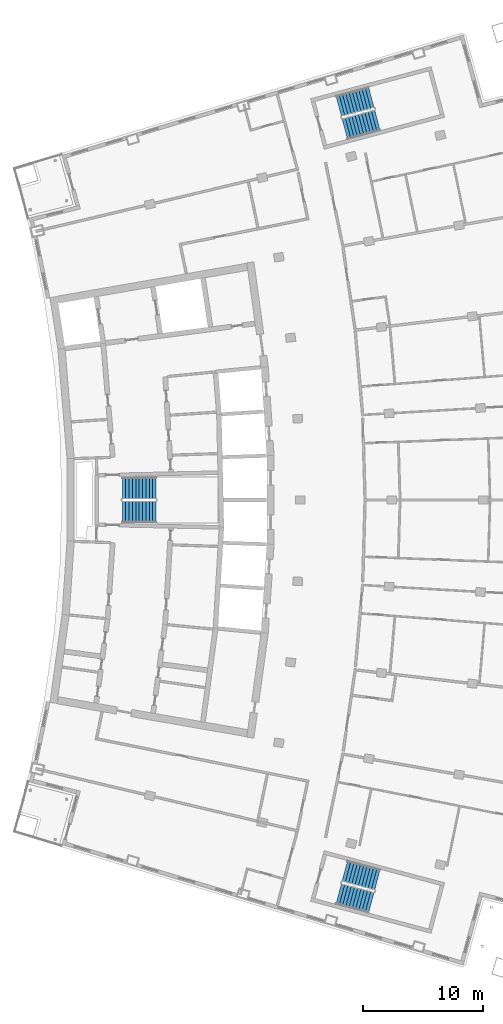
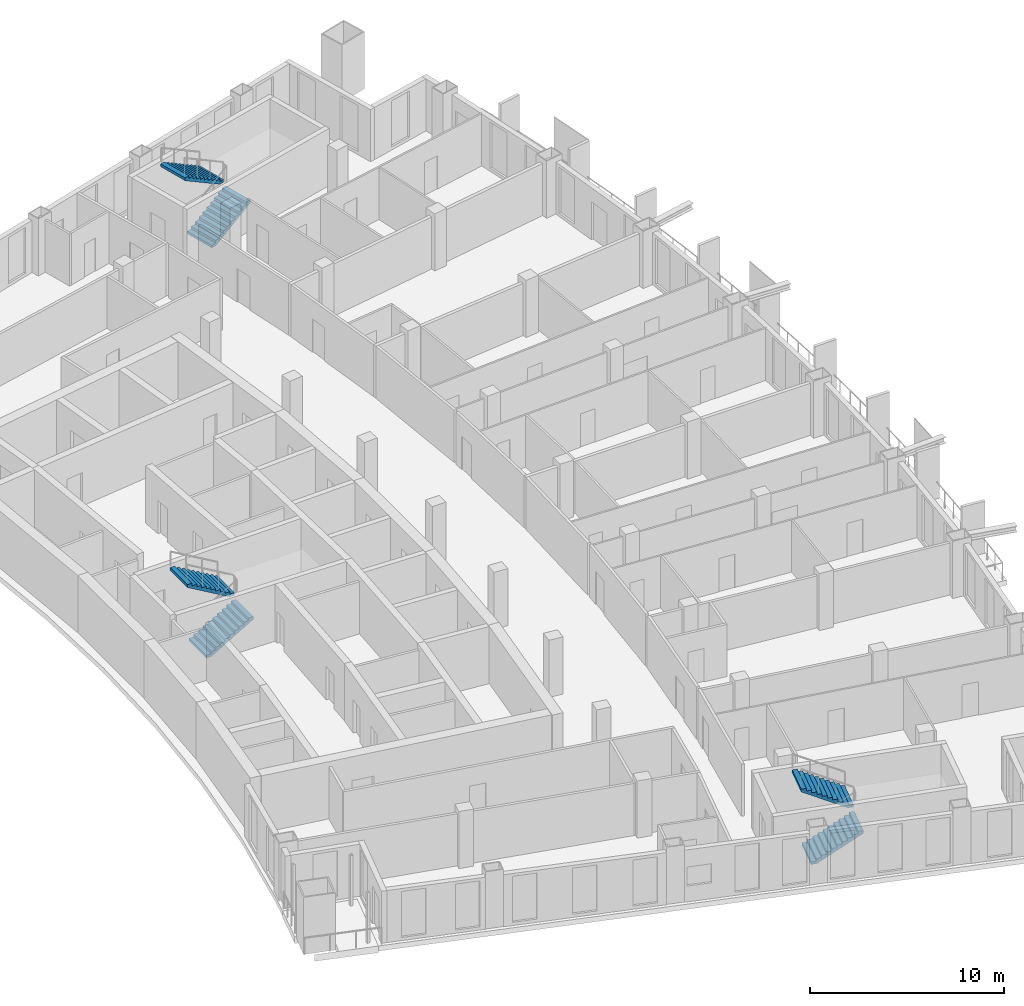
# One storey, part 16 of 19: 6 stair flights, 3 elements without a shape of their own.
"""IFC4 building model written with IfcOpenShell, lengths in metres."""

import ifcopenshell
import ifcopenshell.guid

model = None  # the IFC model being written
_history = None  # IfcOwnerHistory: only IFC2X3 demands one
_inside = {}  # id of a spatial element -> (the spatial element, [elements in it])
_under = {}  # id of a project, library or spatial element -> (it, [spatial elements below it])
_declared = {}  # id of a project -> (the project, [libraries it declares])
_typed = {}  # id of a type object -> (the type object, [elements of that type])
_made_of = {}  # id of a material, layer set ... -> (it, [elements and type objects made of it])


def new_model(schema):
    """Start an empty IFC model of exactly this schema.

    Asked for "IFC4X3", IfcOpenShell would pick the latest addendum, in which some entities
    have other attributes; the version numbers below select the first issue.
    IFC2X3 requires an IfcOwnerHistory on every rooted entity: one is made here for all.
    """
    global model, _history
    if schema == "IFC4X3":
        model = ifcopenshell.file(schema_version=(4, 3, 0, 0))
    else:
        model = ifcopenshell.file(schema=schema)
    _inside.clear()
    _under.clear()
    _declared.clear()
    _typed.clear()
    _made_of.clear()
    _history = None
    if model.schema == "IFC2X3":
        org = make("IfcOrganization", Name="unknown")
        user = make(
            "IfcPersonAndOrganization",
            ThePerson=make("IfcPerson", FamilyName="unknown"),
            TheOrganization=org,
        )
        app = make(
            "IfcApplication",
            ApplicationDeveloper=org,
            Version="unknown",
            ApplicationFullName="unknown",
            ApplicationIdentifier="unknown",
        )
        _history = make(
            "IfcOwnerHistory",
            OwningUser=user,
            OwningApplication=app,
            ChangeAction="ADDED",
            CreationDate=0,
        )
    return model


def make(cls, **values):
    """One entity of the class cls with the attributes given. An attribute that is None is left unset."""
    return model.create_entity(
        cls, **{name: value for name, value in values.items() if value is not None}
    )


def rooted(cls, **values):
    """An entity with a GlobalId (a new one), such as an element, a storey or a relation."""
    return make(cls, GlobalId=ifcopenshell.guid.new(), OwnerHistory=_history, **values)


def si_unit(unit_type, name, prefix=None):
    """IfcSIUnit, for example si_unit("LENGTHUNIT", "METRE", prefix="MILLI")."""
    return make("IfcSIUnit", UnitType=unit_type, Prefix=prefix, Name=name)


def assignment(units):
    """IfcUnitAssignment: the units of a project."""
    return None if units is None else make("IfcUnitAssignment", Units=units)


def point(xyz):
    """IfcCartesianPoint."""
    return None if xyz is None else make("IfcCartesianPoint", Coordinates=xyz)


def direction(xyz):
    """IfcDirection."""
    return None if xyz is None else make("IfcDirection", DirectionRatios=xyz)


def frame(location, z_axis=None, x_axis=None):
    """IfcAxis2Placement3D, a coordinate frame: its origin and axes. An axis left out is left unset."""
    return make(
        "IfcAxis2Placement3D",
        Location=point(location),
        Axis=direction(z_axis),
        RefDirection=direction(x_axis),
    )


def origin():
    """The frame at (0, 0, 0) with its axes left unset."""
    return frame((0.0, 0.0, 0.0))


def place(relative_to, where):
    """IfcLocalPlacement: puts the frame where relative to a parent placement (None: the world)."""
    return make(
        "IfcLocalPlacement", PlacementRelTo=relative_to, RelativePlacement=where
    )


def context(
    kind, dimensions, precision=None, world=None, true_north=None, identifier=None
):
    """IfcGeometricRepresentationContext, for example the 3D "Model" context."""
    return make(
        "IfcGeometricRepresentationContext",
        ContextIdentifier=identifier,
        ContextType=kind,
        CoordinateSpaceDimension=dimensions,
        Precision=precision,
        WorldCoordinateSystem=world,
        TrueNorth=true_north,
    )


def subcontext(parent, identifier, kind, view, scale=None):
    """IfcGeometricRepresentationSubContext, for example "Body" below "Model"."""
    return make(
        "IfcGeometricRepresentationSubContext",
        ContextIdentifier=identifier,
        ContextType=kind,
        ParentContext=parent,
        TargetScale=scale,
        TargetView=view,
    )


def project(units=None, contexts=None):
    """IfcProject with its units and contexts."""
    return rooted(
        "IfcProject",
        Name="project",
        RepresentationContexts=contexts,
        UnitsInContext=assignment(units),
    )


def spatial(cls, under=None, at=None, **own):
    """A site, building, storey or space (cls), placed at a placement, below another one or the project."""
    s = rooted(cls, ObjectPlacement=at, **own)
    if under is not None:
        _under.setdefault(under.id(), (under, []))[1].append(s)
    return s


def polyline(points):
    """IfcPolyline through the points."""
    return make("IfcPolyline", Points=[point(p) for p in points])


def outline(outer, holes=None, kind="AREA"):
    """IfcArbitraryClosedProfileDef: a profile drawn as a closed curve; with holes, ...WithVoids."""
    if holes is None:
        return make("IfcArbitraryClosedProfileDef", ProfileType=kind, OuterCurve=outer)
    return make(
        "IfcArbitraryProfileDefWithVoids",
        ProfileType=kind,
        OuterCurve=outer,
        InnerCurves=holes,
    )


def extrude(swept, where, along, depth):
    """IfcExtrudedAreaSolid: the profile swept, set in the frame where, extruded along a direction by depth."""
    return make(
        "IfcExtrudedAreaSolid",
        SweptArea=swept,
        Position=where,
        ExtrudedDirection=direction(along),
        Depth=depth,
    )


def shape(context_of_items, identifier, shape_type, items):
    """IfcShapeRepresentation: the items that make up one representation, for example the "Body"."""
    return make(
        "IfcShapeRepresentation",
        ContextOfItems=context_of_items,
        RepresentationIdentifier=identifier,
        RepresentationType=shape_type,
        Items=items,
    )


def material(Name=None, Category=None):
    """IfcMaterial."""
    return make("IfcMaterial", Name=Name, Category=Category)


def layer(
    of_material, thickness, ventilated=None, Name=None, Category=None, Priority=None
):
    """IfcMaterialLayer: one layer of a wall or slab, of a material (None: an air gap)."""
    return make(
        "IfcMaterialLayer",
        Material=of_material,
        LayerThickness=thickness,
        IsVentilated=ventilated,
        Name=Name,
        Category=Category,
        Priority=Priority,
    )


def layer_set(layers, Name=None):
    """IfcMaterialLayerSet."""
    return make("IfcMaterialLayerSet", MaterialLayers=layers, LayerSetName=Name)


def made_of(thing, what):
    """Note that an element or type object is made of a material, layer set ...; save() writes the relation."""
    if what is not None:
        _made_of.setdefault(what.id(), (what, []))[1].append(thing)
    return thing


def type_object(cls, material=None, **own):
    """A type object (cls), such as IfcWallType, which elements share."""
    return made_of(rooted(cls, **own), material)


def element(
    cls,
    number,
    at=None,
    inside=None,
    cuts=None,
    type_object=None,
    material=None,
    context=None,
    identifier="Body",
    shape_type=None,
    held_by="IfcProductDefinitionShape",
    body=None,
    shapes=None,
    **own,
):
    """One element of the class cls, such as IfcWall. Its Tag is "e" and its number.

    at: its placement. inside: the storey or other place that contains it. cuts: it is an
    opening in that element (IfcRelVoidsElement). A single representation is given by context,
    identifier, shape_type and body (its items); several are given by shapes. held_by: the class
    of the entity that holds the representations. save() writes the other relations.
    """
    e = rooted(cls, Tag="e%d" % number, ObjectPlacement=at, **own)
    if body is not None:
        shapes = [shape(context, identifier, shape_type, body)]
    if shapes is not None:
        e.Representation = make(held_by, Representations=shapes)
    if inside is not None:
        _inside.setdefault(inside.id(), (inside, []))[1].append(e)
    if cuts is not None:
        rooted(
            "IfcRelVoidsElement", RelatingBuildingElement=cuts, RelatedOpeningElement=e
        )
    if type_object is not None:
        _typed.setdefault(type_object.id(), (type_object, []))[1].append(e)
    return made_of(e, material)


def aggregate(whole, parts):
    """IfcRelAggregates: a whole, such as a stair, and the parts it consists of."""
    return rooted("IfcRelAggregates", RelatingObject=whole, RelatedObjects=parts)


def save(model, path):
    """Write the relations noted so far, then the file.

    IfcRelAggregates (storeys below a building ...), IfcRelContainedInSpatialStructure (elements
    in a storey), IfcRelDefinesByType, IfcRelAssociatesMaterial and IfcRelDeclares: one each for
    every whole, place, type object, material and project.
    """
    for whole, parts in _under.values():
        aggregate(whole, parts)
    for where, things in _inside.values():
        rooted(
            "IfcRelContainedInSpatialStructure",
            RelatedElements=things,
            RelatingStructure=where,
        )
    for kind, things in _typed.values():
        rooted("IfcRelDefinesByType", RelatedObjects=things, RelatingType=kind)
    for what, things in _made_of.values():
        rooted("IfcRelAssociatesMaterial", RelatedObjects=things, RelatingMaterial=what)
    for by, libraries in _declared.values():
        rooted("IfcRelDeclares", RelatingContext=by, RelatedDefinitions=libraries)
    model.write(path)


model = new_model("IFC4")

# Units and contexts
model_context = context("Model", 3, precision=1e-05, world=origin(), true_north=direction((0.0, 1.0)))
body_context = subcontext(model_context, "Body", "Model", "MODEL_VIEW")
ifc_project = project(units=[si_unit("LENGTHUNIT", "METRE"), si_unit("AREAUNIT", "SQUARE_METRE"), si_unit("VOLUMEUNIT", "CUBIC_METRE"), si_unit("PLANEANGLEUNIT", "RADIAN"), si_unit("MASSUNIT", "GRAM", prefix="KILO")], contexts=[model_context])

# Site, building, storey
site_placement = place(None, origin())
site = spatial("IfcSite", under=ifc_project, at=site_placement, CompositionType="ELEMENT")
building_placement = place(site_placement, origin())
building = spatial("IfcBuilding", under=site, at=building_placement, Name="Alderwake Tower", CompositionType="ELEMENT")
storey_placement = place(building_placement, frame((0.0, 0.0, 192.800048828125)))
storey = spatial("IfcBuildingStorey", under=building, at=storey_placement, Name="L47", CompositionType="ELEMENT", Elevation=192.800048828125)

# Stair, stair flights
ifc_material_1 = material(Name="Concrete C40/50", Category="concrete")
stair_type = type_object("IfcStairType", Name="Core exit stair", PredefinedType="HALF_TURN_STAIR", material=ifc_material_1)
stair_1_placement = place(storey_placement, origin())
stair_1 = element("IfcStair", 1, at=stair_1_placement, inside=storey, type_object=stair_type, Name="L47 Exit Stair B", PredefinedType="HALF_TURN_STAIR")
ifc_material_2 = material(Name="Concrete C40/50", Category="concrete")
ifc_layer = layer(ifc_material_2, 0.14990234375)
ifc_layer_set = layer_set([ifc_layer], Name="Core stair flight")
stair_flight_type = type_object("IfcStairFlightType", Name="Core stair flight", PredefinedType="STRAIGHT", material=ifc_layer_set)
stair_flight_1_placement = place(storey_placement, frame((21.0400390625, 60.02490234375, 0.0), z_axis=(0.0, 0.0, 1.0), x_axis=(1.0, 0.0, 0.0)))
stair_flight_1 = element("IfcStairFlight", 2, at=stair_flight_1_placement, type_object=stair_flight_type, Name="ST-B flight 1", NumberOfRisers=11, NumberOfTreads=10, PredefinedType="STRAIGHT", RiserHeight=0.163636364, TreadLength=0.28, context=body_context, shape_type="SweptSolid", body=[
    extrude(outline(polyline([(0.0, 0.0), (0.0, 0.16357421875), (0.280029296875, 0.16357421875), (0.280029296875, 0.327392578125), (0.56005859375, 0.327392578125), (0.56005859375, 0.490966796875), (0.840087890625, 0.490966796875), (0.840087890625, 0.654541015625), (1.1201171875, 0.654541015625), (1.1201171875, 0.818115234375), (1.39990234375, 0.818115234375), (1.39990234375, 0.98193359375), (1.679931640625, 0.98193359375), (1.679931640625, 1.1455078125), (1.9599609375, 1.1455078125), (1.9599609375, 1.30908203125), (2.239990234375, 1.30908203125), (2.239990234375, 1.47265625), (2.52001953125, 1.47265625), (2.52001953125, 1.636474609375), (2.800048828125, 1.636474609375), (2.800048828125, 1.800048828125), (2.800048828125, 1.462646484375), (0.297119140625, 0.0), (0.0, 0.0)])), frame((0.0, 0.89990234375, 0.0), z_axis=(0.0, -1.0, 0.0), x_axis=(1.0, 0.0, 0.0)), (0.0, 0.0, 1.0), 1.800048828125),
])
stair_flight_2_placement = place(storey_placement, frame((23.840087890625, 61.97509765625, 1.800048828125), z_axis=(0.0, 0.0, 1.0), x_axis=(-1.0, 0.0, 0.0)))
stair_flight_2 = element("IfcStairFlight", 3, at=stair_flight_2_placement, type_object=stair_flight_type, Name="ST-B flight 2", NumberOfRisers=11, NumberOfTreads=10, PredefinedType="STRAIGHT", RiserHeight=0.163636364, TreadLength=0.28, context=body_context, shape_type="SweptSolid", body=[
    extrude(outline(polyline([(0.0, 0.0), (0.0, 0.16357421875), (0.280029296875, 0.16357421875), (0.280029296875, 0.327392578125), (0.56005859375, 0.327392578125), (0.56005859375, 0.490966796875), (0.840087890625, 0.490966796875), (0.840087890625, 0.654541015625), (1.1201171875, 0.654541015625), (1.1201171875, 0.818115234375), (1.39990234375, 0.818115234375), (1.39990234375, 0.98193359375), (1.679931640625, 0.98193359375), (1.679931640625, 1.1455078125), (1.9599609375, 1.1455078125), (1.9599609375, 1.30908203125), (2.239990234375, 1.30908203125), (2.239990234375, 1.47265625), (2.52001953125, 1.47265625), (2.52001953125, 1.636474609375), (2.800048828125, 1.636474609375), (2.800048828125, 1.800048828125), (2.800048828125, 1.462646484375), (0.297119140625, 0.0), (0.0, 0.0)])), frame((0.0, 0.89990234375, 0.0), z_axis=(0.0, -1.0, 0.0), x_axis=(1.0, 0.0, 0.0)), (0.0, 0.0, 1.0), 1.800048828125),
])
aggregate(stair_1, [stair_flight_1, stair_flight_2])

stair_2_placement = place(storey_placement, origin())
stair_2 = element("IfcStair", 4, at=stair_2_placement, inside=storey, type_object=stair_type, Name="L47 Exit Stair A", PredefinedType="HALF_TURN_STAIR")
stair_flight_3_placement = place(storey_placement, frame((39.512939453125, 91.823974609375, 0.0), z_axis=(0.0, 0.0, 1.0), x_axis=(0.966309627437, 0.257382407951, 0.0)))
stair_flight_3 = element("IfcStairFlight", 5, at=stair_flight_3_placement, type_object=stair_flight_type, Name="ST-A flight 1", NumberOfRisers=11, NumberOfTreads=10, PredefinedType="STRAIGHT", RiserHeight=0.163636364, TreadLength=0.28, context=body_context, shape_type="SweptSolid", body=[
    extrude(outline(polyline([(0.0, 0.0), (0.0, 0.16357421875), (0.280029296875, 0.16357421875), (0.280029296875, 0.327392578125), (0.56005859375, 0.327392578125), (0.56005859375, 0.490966796875), (0.840087890625, 0.490966796875), (0.840087890625, 0.654541015625), (1.1201171875, 0.654541015625), (1.1201171875, 0.818115234375), (1.39990234375, 0.818115234375), (1.39990234375, 0.98193359375), (1.679931640625, 0.98193359375), (1.679931640625, 1.1455078125), (1.9599609375, 1.1455078125), (1.9599609375, 1.30908203125), (2.239990234375, 1.30908203125), (2.239990234375, 1.47265625), (2.52001953125, 1.47265625), (2.52001953125, 1.636474609375), (2.800048828125, 1.636474609375), (2.800048828125, 1.800048828125), (2.800048828125, 1.462646484375), (0.297119140625, 0.0), (0.0, 0.0)])), frame((0.0, 0.89990234375, 0.0), z_axis=(0.0, -1.0, 0.0), x_axis=(1.0, 0.0, 0.0)), (0.0, 0.0, 1.0), 1.800048828125),
])
stair_flight_4_placement = place(storey_placement, frame((41.716796875, 94.428955078125, 1.800048828125), z_axis=(0.0, 0.0, 1.0), x_axis=(-0.966309627437, -0.257382407951, 0.0)))
stair_flight_4 = element("IfcStairFlight", 6, at=stair_flight_4_placement, type_object=stair_flight_type, Name="ST-A flight 2", NumberOfRisers=11, NumberOfTreads=10, PredefinedType="STRAIGHT", RiserHeight=0.163636364, TreadLength=0.28, context=body_context, shape_type="SweptSolid", body=[
    extrude(outline(polyline([(0.0, 0.0), (0.0, 0.16357421875), (0.280029296875, 0.16357421875), (0.280029296875, 0.327392578125), (0.56005859375, 0.327392578125), (0.56005859375, 0.490966796875), (0.840087890625, 0.490966796875), (0.840087890625, 0.654541015625), (1.1201171875, 0.654541015625), (1.1201171875, 0.818115234375), (1.39990234375, 0.818115234375), (1.39990234375, 0.98193359375), (1.679931640625, 0.98193359375), (1.679931640625, 1.1455078125), (1.9599609375, 1.1455078125), (1.9599609375, 1.30908203125), (2.239990234375, 1.30908203125), (2.239990234375, 1.47265625), (2.52001953125, 1.47265625), (2.52001953125, 1.636474609375), (2.800048828125, 1.636474609375), (2.800048828125, 1.800048828125), (2.800048828125, 1.462646484375), (0.297119140625, 0.0), (0.0, 0.0)])), frame((0.0, 0.89990234375, 0.0), z_axis=(0.0, -1.0, 0.0), x_axis=(1.0, 0.0, 0.0)), (0.0, 0.0, 1.0), 1.800048828125),
])
aggregate(stair_2, [stair_flight_3, stair_flight_4])

stair_3_placement = place(storey_placement, origin())
stair_3 = element("IfcStair", 7, at=stair_3_placement, inside=storey, type_object=stair_type, Name="L47 Exit Stair C", PredefinedType="HALF_TURN_STAIR")
stair_flight_5_placement = place(storey_placement, frame((39.010986328125, 28.291748046875, 0.0), z_axis=(0.0, 0.0, 1.0), x_axis=(0.966309627437, -0.257382407951, 0.0)))
stair_flight_5 = element("IfcStairFlight", 8, at=stair_flight_5_placement, type_object=stair_flight_type, Name="ST-C flight 1", NumberOfRisers=11, NumberOfTreads=10, PredefinedType="STRAIGHT", RiserHeight=0.163636364, TreadLength=0.28, context=body_context, shape_type="SweptSolid", body=[
    extrude(outline(polyline([(0.0, 0.0), (0.0, 0.16357421875), (0.280029296875, 0.16357421875), (0.280029296875, 0.327392578125), (0.56005859375, 0.327392578125), (0.56005859375, 0.490966796875), (0.840087890625, 0.490966796875), (0.840087890625, 0.654541015625), (1.1201171875, 0.654541015625), (1.1201171875, 0.818115234375), (1.39990234375, 0.818115234375), (1.39990234375, 0.98193359375), (1.679931640625, 0.98193359375), (1.679931640625, 1.1455078125), (1.9599609375, 1.1455078125), (1.9599609375, 1.30908203125), (2.239990234375, 1.30908203125), (2.239990234375, 1.47265625), (2.52001953125, 1.47265625), (2.52001953125, 1.636474609375), (2.800048828125, 1.636474609375), (2.800048828125, 1.800048828125), (2.800048828125, 1.462646484375), (0.297119140625, 0.0), (0.0, 0.0)])), frame((0.0, 0.89990234375, 0.0), z_axis=(0.0, -1.0, 0.0), x_axis=(1.0, 0.0, 0.0)), (0.0, 0.0, 1.0), 1.800048828125),
])
stair_flight_6_placement = place(storey_placement, frame((42.218505859375, 29.455322265625, 1.800048828125), z_axis=(0.0, 0.0, 1.0), x_axis=(-0.966309627437, 0.257382407951, 0.0)))
stair_flight_6 = element("IfcStairFlight", 9, at=stair_flight_6_placement, type_object=stair_flight_type, Name="ST-C flight 2", NumberOfRisers=11, NumberOfTreads=10, PredefinedType="STRAIGHT", RiserHeight=0.163636364, TreadLength=0.28, context=body_context, shape_type="SweptSolid", body=[
    extrude(outline(polyline([(0.0, 0.0), (0.0, 0.16357421875), (0.280029296875, 0.16357421875), (0.280029296875, 0.327392578125), (0.56005859375, 0.327392578125), (0.56005859375, 0.490966796875), (0.840087890625, 0.490966796875), (0.840087890625, 0.654541015625), (1.1201171875, 0.654541015625), (1.1201171875, 0.818115234375), (1.39990234375, 0.818115234375), (1.39990234375, 0.98193359375), (1.679931640625, 0.98193359375), (1.679931640625, 1.1455078125), (1.9599609375, 1.1455078125), (1.9599609375, 1.30908203125), (2.239990234375, 1.30908203125), (2.239990234375, 1.47265625), (2.52001953125, 1.47265625), (2.52001953125, 1.636474609375), (2.800048828125, 1.636474609375), (2.800048828125, 1.800048828125), (2.800048828125, 1.462646484375), (0.297119140625, 0.0), (0.0, 0.0)])), frame((0.0, 0.89990234375, 0.0), z_axis=(0.0, -1.0, 0.0), x_axis=(1.0, 0.0, 0.0)), (0.0, 0.0, 1.0), 1.800048828125),
])
aggregate(stair_3, [stair_flight_5, stair_flight_6])

save(model, "model.ifc")
